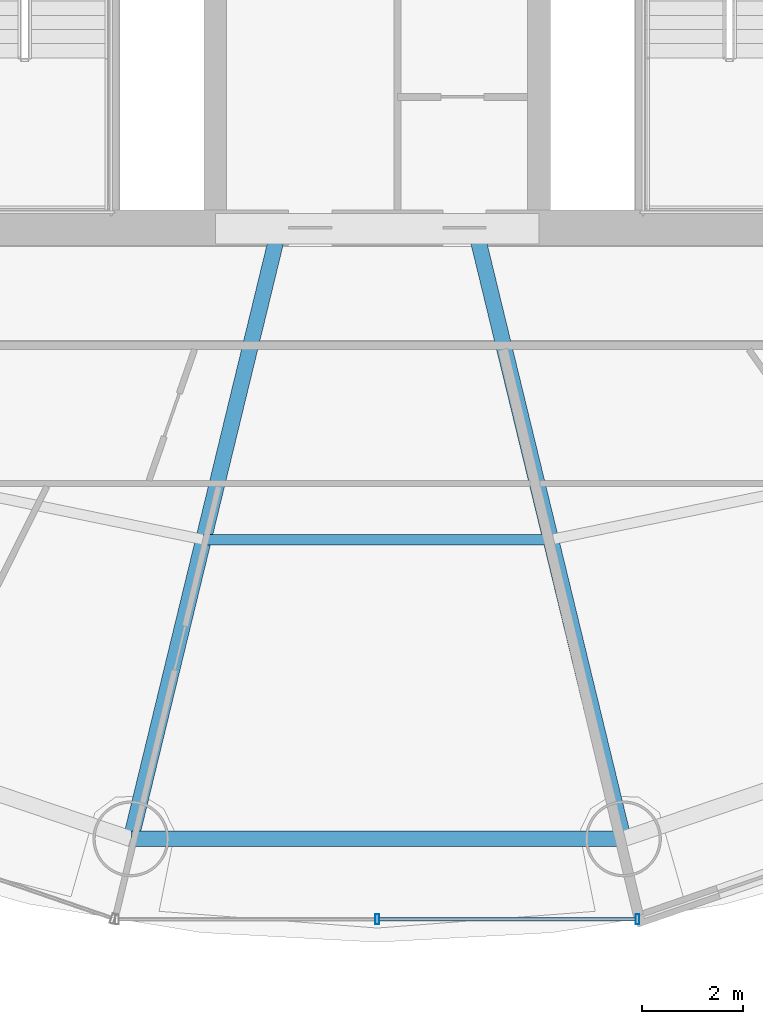
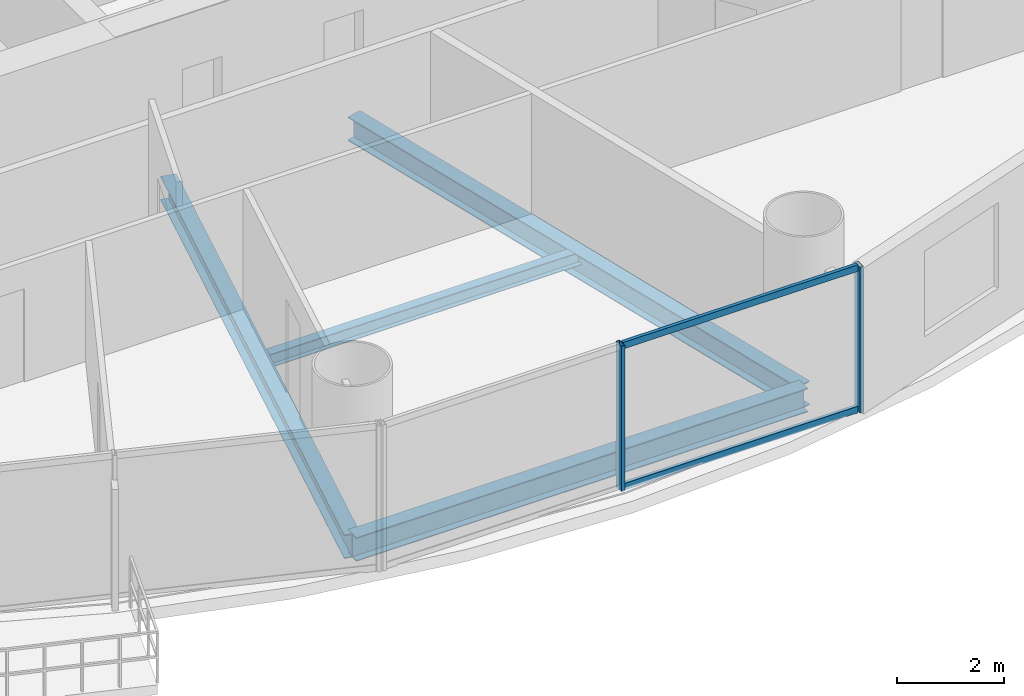
# One storey, part 5 of 29: 4 beams, 4 members, 1 element without a shape of its own.
"""IFC4 building model written with IfcOpenShell, lengths in metres."""

from ifc_helpers import new_model, si_unit, direction, frame, origin, origin_2d, place, context, subcontext, project, spatial, hollow_rectangle, i_section, extrude, source, transform, mapped, material, material_profile, profile_set, type_object, element, aggregate, save


model = new_model("IFC4")

# Units and contexts
model_context = context("Model", 3, precision=1e-05, world=origin(), true_north=direction((-0.2419218956, 0.970295726276)))
body_context = subcontext(model_context, "Body", "Model", "MODEL_VIEW")
ifc_project = project(units=[si_unit("LENGTHUNIT", "METRE"), si_unit("AREAUNIT", "SQUARE_METRE"), si_unit("VOLUMEUNIT", "CUBIC_METRE"), si_unit("PLANEANGLEUNIT", "RADIAN"), si_unit("MASSUNIT", "GRAM", prefix="KILO")], contexts=[model_context])

# Site, building, storey
site_placement = place(None, origin())
site = spatial("IfcSite", under=ifc_project, at=site_placement, CompositionType="ELEMENT")
building_placement = place(site_placement, origin())
building = spatial("IfcBuilding", under=site, at=building_placement, Name="Cobrevalo Terracotta Tower", CompositionType="ELEMENT")
storey_placement = place(building_placement, frame((0.0, 0.0, 87.0)))
storey = spatial("IfcBuildingStorey", under=building, at=storey_placement, Name="L22", CompositionType="ELEMENT", Elevation=87.0)

# Beams
ifc_material_1 = material(Name="Steel S355", Category="steel")
ifc_material_profile_1 = material_profile(ifc_material_1, i_section(OverallWidth=0.31201171875, OverallDepth=0.54296875, WebThickness=0.0126953125, FlangeThickness=0.020263671875, at=origin_2d()), Name="W 530x150")
ifc_profile_set_1 = profile_set([ifc_material_profile_1], Name="Steel S355")
beam_type_1 = type_object("IfcBeamType", Name="Structural Beam W 530x150 (Steel S355)", PredefinedType="BEAM", material=ifc_profile_set_1)
for number, where, z_axis, x_axis, name in (
    (1, (33.132568359375, 6.742919921875, -0.54638671875), (0.235827379387, 0.971794961467, 0.0), (-0.971794961467, 0.235827379387, 0.0), "L22 radial floor girder 12"),
    (2, (42.867431640625, 6.742919921875, -0.54638671875), (-0.235827379387, 0.971794961467, 0.0), (-0.971794961467, -0.235827379387, 0.0), "L22 radial floor girder 13"),
):
    element("IfcBeam", number, at=place(storey_placement, frame(where, z_axis=z_axis, x_axis=x_axis)), inside=storey, type_object=beam_type_1, Name=name, PredefinedType="BEAM", context=body_context, shape_type="SweptSolid", body=[
        extrude(i_section(OverallWidth=0.31201171875, OverallDepth=0.54296875, WebThickness=0.0126953125, FlangeThickness=0.020263671875, at=origin_2d()), origin(), (0.0, 0.0, 1.0), 12.17041015625),
    ])
ifc_material_profile_2 = material_profile(ifc_material_1, i_section(OverallWidth=0.2041015625, OverallDepth=0.305908203125, WebThickness=0.008544921875, FlangeThickness=0.0146484375, at=origin_2d()), Name="W 310x67")
ifc_profile_set_2 = profile_set([ifc_material_profile_2], Name="Steel S355")
beam_type_2 = type_object("IfcBeamType", Name="Structural Joist W 310x67 (Steel S355)", PredefinedType="JOIST", material=ifc_profile_set_2)
beam_1_placement = place(storey_placement, frame((34.567626953125, 12.656494140625, -0.427978515625), z_axis=(1.0, 0.0, 0.0), x_axis=(0.0, 1.0, 0.0)))
element("IfcBeam", 3, at=beam_1_placement, inside=storey, type_object=beam_type_2, Name="L22 circumferential secondary floor joist 12", PredefinedType="JOIST", context=body_context, shape_type="SweptSolid", body=[
    extrude(i_section(OverallWidth=0.2041015625, OverallDepth=0.305908203125, WebThickness=0.008544921875, FlangeThickness=0.0146484375, at=origin_2d()), origin(), (0.0, 0.0, 1.0), 6.86474609375),
])
ifc_material_profile_3 = material_profile(ifc_material_1, i_section(OverallWidth=0.31201171875, OverallDepth=0.54296875, WebThickness=0.0126953125, FlangeThickness=0.020263671875, at=origin_2d()), Name="W 530x150")
ifc_profile_set_3 = profile_set([ifc_material_profile_3], Name="Steel S355")
beam_type_3 = type_object("IfcBeamType", Name="Structural Spandrel W 530x150 (Steel S355)", PredefinedType="SPANDREL", material=ifc_profile_set_3)
beam_2_placement = place(storey_placement, frame((33.132568359375, 6.742919921875, -0.54638671875), z_axis=(1.0, 0.0, 0.0), x_axis=(0.0, 1.0, 0.0)))
element("IfcBeam", 4, at=beam_2_placement, inside=storey, type_object=beam_type_3, Name="L22 perimeter ring spandrel 12", PredefinedType="SPANDREL", context=body_context, shape_type="SweptSolid", body=[
    extrude(i_section(OverallWidth=0.31201171875, OverallDepth=0.54296875, WebThickness=0.0126953125, FlangeThickness=0.020263671875, at=origin_2d()), origin(), (0.0, 0.0, 1.0), 9.73486328125),
])

# Curtain wall, members
ifc_material_2 = material(Name="Anodized aluminium", Category="aluminium")
curtain_wall_type = type_object("IfcCurtainWallType", Name="Lower-tower unitised acoustic low-E curtain wall CW-U1", PredefinedType="NOTDEFINED", material=ifc_material_2)
curtain_wall_placement = place(storey_placement, origin())
curtain_wall = element("IfcCurtainWall", 5, at=curtain_wall_placement, inside=storey, type_object=curtain_wall_type, Name="L22 curtain wall CW-L22-S12", PredefinedType="NOTDEFINED")
ifc_material_profile_4 = material_profile(ifc_material_2, hollow_rectangle(XDim=0.074951171875, YDim=0.199951171875, WallThickness=0.0048828125, at=origin_2d()), Name="CWM 75x200")
ifc_profile_set_4 = profile_set([ifc_material_profile_4], Name="Anodized aluminium")
member_type_1 = type_object("IfcMemberType", Name="Lower/mid tower unitised mullion 75x200", PredefinedType="MULLION", material=ifc_profile_set_4)
shared_shape_1 = source(origin(), body_context, "Body", "SweptSolid", [
    extrude(hollow_rectangle(XDim=0.074951171875, YDim=0.199951171875, WallThickness=0.0048828125, at=origin_2d()), origin(), (0.0, 0.0, 1.0), 3.324951171875),
])
member_1_placement = place(storey_placement, frame((38.0, 5.154052734375, 0.0), z_axis=(0.0, 0.0, 1.0), x_axis=(1.0, 0.0, 0.0)))
member_1 = element("IfcMember", 6, at=member_1_placement, type_object=member_type_1, Name="CW-L22-S12 vertical mullion 02", PredefinedType="MULLION", context=body_context, shape_type="MappedRepresentation", body=[
    mapped(shared_shape_1, transform((0.0, 0.0, 0.0), scale=1.0)),
])
member_2_placement = place(storey_placement, frame((43.1435546875, 5.154052734375, 0.0), z_axis=(0.0, 0.0, 1.0), x_axis=(1.0, 0.0, 0.0)))
member_2 = element("IfcMember", 7, at=member_2_placement, type_object=member_type_1, Name="CW-L22-S12 vertical mullion 03", PredefinedType="MULLION", context=body_context, shape_type="MappedRepresentation", body=[
    mapped(shared_shape_1, transform((0.0, 0.0, 0.0), scale=1.0)),
])
ifc_material_profile_5 = material_profile(ifc_material_2, hollow_rectangle(XDim=0.074951171875, YDim=0.14990234375, WallThickness=0.00439453125, at=origin_2d()), Name="CWT 75x150")
ifc_profile_set_5 = profile_set([ifc_material_profile_5], Name="Anodized aluminium")
member_type_2 = type_object("IfcMemberType", Name="Tower unitised aluminium transom 75x150", PredefinedType="USERDEFINED", material=ifc_profile_set_5)
shared_shape_2 = source(origin(), body_context, "Body", "SweptSolid", [
    extrude(hollow_rectangle(XDim=0.074951171875, YDim=0.14990234375, WallThickness=0.00439453125, at=origin_2d()), origin(), (0.0, 0.0, 1.0), 5.0634765625),
])
member_3_placement = place(storey_placement, frame((38.0400390625, 5.154052734375, 0.050048828125), z_axis=(1.0, 0.0, 0.0), x_axis=(0.0, 1.0, 0.0)))
member_3 = element("IfcMember", 8, at=member_3_placement, type_object=member_type_2, Name="CW-L22-S12 transom B02-T1", ObjectType="TRANSOM", PredefinedType="USERDEFINED", context=body_context, shape_type="MappedRepresentation", body=[
    mapped(shared_shape_2, transform((0.0, 0.0, 0.0), scale=1.0)),
])
member_4_placement = place(storey_placement, frame((38.0400390625, 5.154052734375, 3.27490234375), z_axis=(1.0, 0.0, 0.0), x_axis=(0.0, 1.0, 0.0)))
member_4 = element("IfcMember", 9, at=member_4_placement, type_object=member_type_2, Name="CW-L22-S12 transom B02-T2", ObjectType="TRANSOM", PredefinedType="USERDEFINED", context=body_context, shape_type="MappedRepresentation", body=[
    mapped(shared_shape_2, transform((0.0, 0.0, 0.0), scale=1.0)),
])
aggregate(curtain_wall, [member_1, member_2, member_3, member_4])

save(model, "model.ifc")
